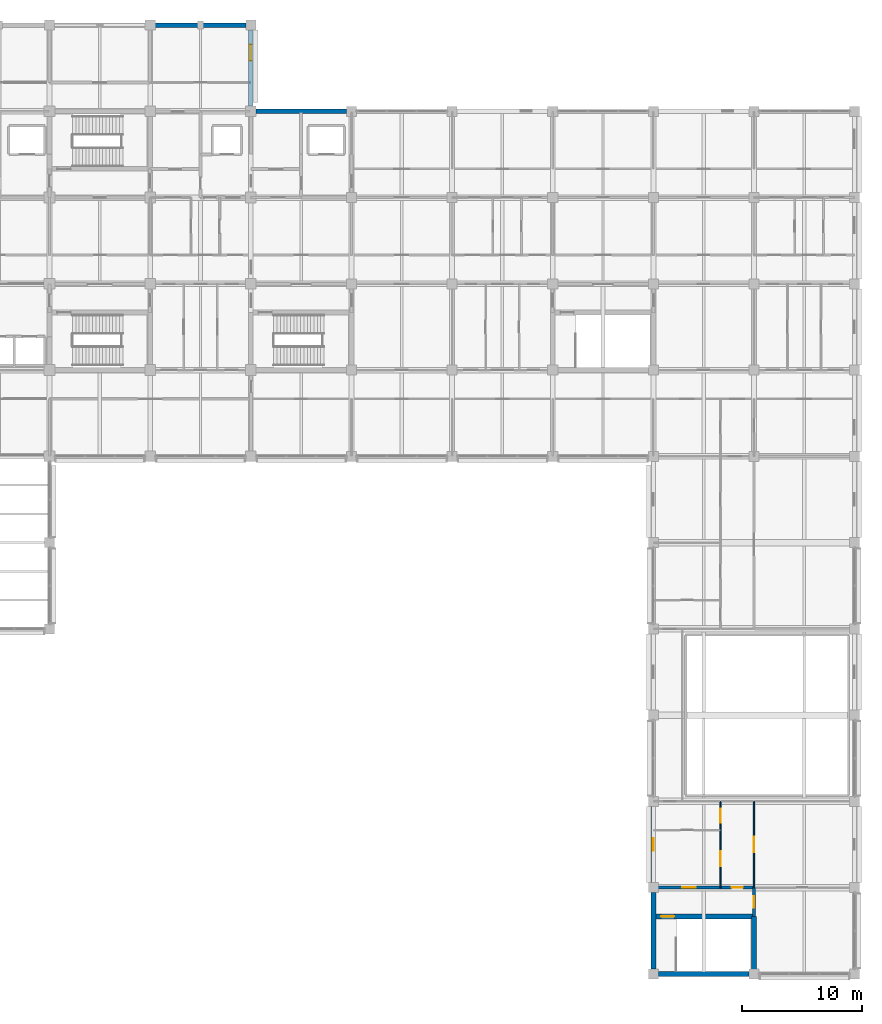
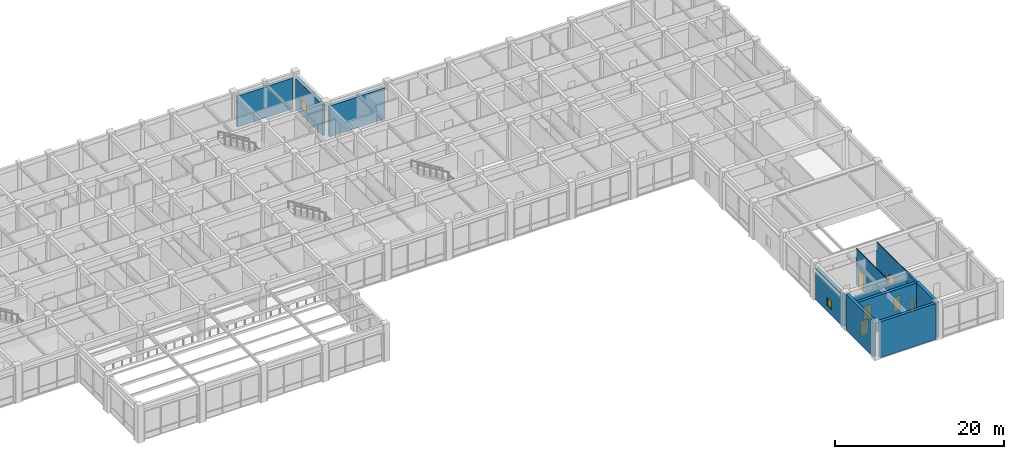
# One storey, part 45 of 58: 12 walls, 7 doors, 2 windows, 9 openings.
"""IFC4 building model written with IfcOpenShell, lengths in metres."""

from ifc_helpers import new_model, si_unit, direction, frame, frame_2d, origin, place, context, subcontext, project, spatial, rectangle, extrude, material, layer, layer_set, type_object, element, fill, save


model = new_model("IFC4")

# Units and contexts
model_context = context("Model", 3, precision=1e-05, world=origin(), true_north=direction((0.0, 1.0)))
body_context = subcontext(model_context, "Body", "Model", "MODEL_VIEW")
ifc_project = project(units=[si_unit("LENGTHUNIT", "METRE"), si_unit("AREAUNIT", "SQUARE_METRE"), si_unit("VOLUMEUNIT", "CUBIC_METRE"), si_unit("PLANEANGLEUNIT", "RADIAN"), si_unit("MASSUNIT", "GRAM", prefix="KILO")], contexts=[model_context])

# Site, building, storey
site_placement = place(None, origin())
site = spatial("IfcSite", under=ifc_project, at=site_placement, CompositionType="ELEMENT")
building_placement = place(site_placement, origin())
building = spatial("IfcBuilding", under=site, at=building_placement, Name="Chengyuan Square Courthouse", CompositionType="ELEMENT")
storey_placement = place(building_placement, frame((0.0, 0.0, 16.199951171875)))
storey = spatial("IfcBuildingStorey", under=building, at=storey_placement, Name="L04", CompositionType="ELEMENT", Elevation=16.199951171875)

# Wall
ifc_material_1 = material(Name="Concrete C40", Category="concrete")
ifc_layer_1 = layer(ifc_material_1, 0.3798828125)
ifc_layer_set_1 = layer_set([ifc_layer_1], Name="Concrete C40")
wall_type_1 = type_object("IfcWallType", Name="WL-EW1", PredefinedType="STANDARD", material=ifc_layer_set_1)
wall_1_placement = place(storey_placement, frame((109.6201171875, 115.199951171875, 0.0), z_axis=(0.0, 0.0, 1.0), x_axis=(1.0, 0.0, 0.0)))
element("IfcWall", 1, at=wall_1_placement, inside=storey, type_object=wall_type_1, Name="Exterior Wall WL-L04-E322", PredefinedType="STANDARD", context=body_context, shape_type="SweptSolid", body=[
    extrude(rectangle(XDim=7.559814453125, YDim=0.3798828125, at=frame_2d((3.77978515625, 0.0))), origin(), (0.0, 0.0, 1.0), 4.469970703125),
])

# Wall, opening, window
wall_2_placement = place(storey_placement, frame((117.60009765625, 108.445068359375, 0.0), z_axis=(0.0, 0.0, 1.0), x_axis=(0.0, 1.0, 0.0)))
wall_2 = element("IfcWall", 2, at=wall_2_placement, inside=storey, type_object=wall_type_1, Name="Exterior Wall WL-L04-E323", PredefinedType="STANDARD", context=body_context, shape_type="SweptSolid", body=[
    extrude(rectangle(XDim=6.3349609375, YDim=0.3798828125, at=frame_2d((3.16748046875, 0.0))), origin(), (0.0, 0.0, 1.0), 4.469970703125),
])
opening_1_placement = place(wall_2_placement, frame((3.780029296875, 0.0, 0.85009765625)))
opening_1 = element("IfcOpeningElement", 3, at=opening_1_placement, cuts=wall_2, Name="Opening WN-098", PredefinedType="OPENING", context=body_context, shape_type="SweptSolid", body=[
    extrude(rectangle(XDim=1.35009765625, YDim=1.3798828125, at=frame_2d((0.675048828125, 0.68994140625))), frame((0.0, 0.201904296875, 0.0), z_axis=(0.0, -1.0, 0.0), x_axis=(1.0, 0.0, 0.0)), (0.0, 0.0, 1.0), 0.40380859375),
])
ifc_material_2 = material(Name="Thermally Broken Aluminium Triple Low-E Window", Category="aluminium")
window_type_1 = type_object("IfcWindowType", Name="WT-20", PartitioningType="SINGLE_PANEL", PredefinedType="WINDOW", material=ifc_material_2)
window_1_placement = place(opening_1_placement, origin())
window_1 = element("IfcWindow", 4, at=window_1_placement, inside=storey, type_object=window_type_1, Name="Facade Window WN-098", OverallHeight=1.3798828125, OverallWidth=1.35009765625, PartitioningType="SINGLE_PANEL", PredefinedType="WINDOW", context=body_context, shape_type="SweptSolid", body=[
    extrude(rectangle(XDim=1.35009765625, YDim=1.3798828125, at=frame_2d((0.675048828125, 0.68994140625))), frame((0.0, 0.030029296875, 0.0), z_axis=(0.0, -1.0, 0.0), x_axis=(1.0, 0.0, 0.0)), (0.0, 0.0, 1.0), 0.06005859375),
])
fill(opening_1, window_1)

# Wall
wall_3_placement = place(storey_placement, frame((118.044921875, 108.0, 0.0), z_axis=(0.0, 0.0, 1.0), x_axis=(1.0, 0.0, 0.0)))
element("IfcWall", 5, at=wall_3_placement, inside=storey, type_object=wall_type_1, Name="Exterior Wall WL-L04-E324", PredefinedType="STANDARD", context=body_context, shape_type="SweptSolid", body=[
    extrude(rectangle(XDim=7.53515625, YDim=0.3798828125, at=frame_2d((3.767578125, 0.0))), origin(), (0.0, 0.0, 1.0), 4.469970703125),
])

# Wall, opening, window
wall_4_placement = place(storey_placement, frame((151.199951171875, 43.6201171875, 0.0), z_axis=(0.0, 0.0, 1.0), x_axis=(0.0, 1.0, 0.0)))
wall_4 = element("IfcWall", 6, at=wall_4_placement, inside=storey, type_object=wall_type_1, Name="Exterior Wall WL-L04-E328", PredefinedType="STANDARD", context=body_context, shape_type="SweptSolid", body=[
    extrude(rectangle(XDim=6.35986328125, YDim=0.3798828125, at=frame_2d((3.179931640625, 0.0))), origin(), (0.0, 0.0, 1.0), 4.550048828125),
])
opening_2_placement = place(wall_4_placement, frame((2.655029296875, 0.0, 0.85009765625)))
opening_2 = element("IfcOpeningElement", 7, at=opening_2_placement, cuts=wall_4, Name="Opening WN-100", PredefinedType="OPENING", context=body_context, shape_type="SweptSolid", body=[
    extrude(rectangle(XDim=1.050048828125, YDim=1.199951171875, at=frame_2d((0.52490234375, 0.60009765625))), frame((0.0, 0.201904296875, 0.0), z_axis=(0.0, -1.0, 0.0), x_axis=(1.0, 0.0, 0.0)), (0.0, 0.0, 1.0), 0.40380859375),
])
window_type_2 = type_object("IfcWindowType", Name="WT-07", PartitioningType="SINGLE_PANEL", PredefinedType="WINDOW", material=ifc_material_2)
window_2_placement = place(opening_2_placement, origin())
window_2 = element("IfcWindow", 8, at=window_2_placement, inside=storey, type_object=window_type_2, Name="Facade Window WN-100", OverallHeight=1.199951171875, OverallWidth=1.050048828125, PartitioningType="SINGLE_PANEL", PredefinedType="WINDOW", context=body_context, shape_type="SweptSolid", body=[
    extrude(rectangle(XDim=1.050048828125, YDim=1.199951171875, at=frame_2d((0.52490234375, 0.60009765625))), frame((0.0, 0.030029296875, 0.0), z_axis=(0.0, -1.0, 0.0), x_axis=(1.0, 0.0, 0.0)), (0.0, 0.0, 1.0), 0.06005859375),
])
fill(opening_2, window_2)

# Wall, openings, doors
ifc_layer_2 = layer(ifc_material_1, 0.25)
ifc_layer_set_2 = layer_set([ifc_layer_2], Name="Concrete C40")
wall_type_2 = type_object("IfcWallType", Name="WL-FW1", PredefinedType="STANDARD", material=ifc_layer_set_2)
wall_5_placement = place(storey_placement, frame((151.239990234375, 43.199951171875, 0.0), z_axis=(0.0, 0.0, 1.0), x_axis=(1.0, 0.0, 0.0)))
wall_5 = element("IfcWall", 9, at=wall_5_placement, inside=storey, type_object=wall_type_2, Name="Interior Wall WL-L04-I1741", PredefinedType="STANDARD", context=body_context, shape_type="SweptSolid", body=[
    extrude(rectangle(XDim=8.360107421875, YDim=0.25, at=frame_2d((4.18017578125, 0.0))), origin(), (0.0, 0.0, 1.0), 4.150146484375),
])
opening_3_placement = place(wall_5_placement, frame((6.485107421875, 0.0, 0.0)))
opening_3 = element("IfcOpeningElement", 10, at=opening_3_placement, cuts=wall_5, Name="Opening DR-1654", PredefinedType="OPENING", context=body_context, shape_type="SweptSolid", body=[
    extrude(rectangle(XDim=0.949951171875, YDim=2.14990234375, at=frame_2d((0.47509765625, 1.074951171875))), frame((0.0, 0.136962890625, 0.0), z_axis=(0.0, -1.0, 0.0), x_axis=(1.0, 0.0, 0.0)), (0.0, 0.0, 1.0), 0.27392578125),
])
opening_4_placement = place(wall_5_placement, frame((2.382568359375, 0.0, 0.0)))
opening_4 = element("IfcOpeningElement", 11, at=opening_4_placement, cuts=wall_5, Name="Opening DR-1655", PredefinedType="OPENING", context=body_context, shape_type="SweptSolid", body=[
    extrude(rectangle(XDim=1.10009765625, YDim=2.199951171875, at=frame_2d((0.550048828125, 1.10009765625))), frame((0.0, 0.136962890625, 0.0), z_axis=(0.0, -1.0, 0.0), x_axis=(1.0, 0.0, 0.0)), (0.0, 0.0, 1.0), 0.27392578125),
])
ifc_material_3 = material(Name="Steel Q235B Fire Door", Category="steel")
door_type_1 = type_object("IfcDoorType", Name="DT-10", OperationType="NOTDEFINED", PredefinedType="DOOR", material=ifc_material_3)
door_1_placement = place(opening_4_placement, origin())
door_1 = element("IfcDoor", 12, at=door_1_placement, inside=storey, type_object=door_type_1, Name="Interior Door DR-1655", OperationType="SINGLE_SWING_LEFT", OverallHeight=2.199951171875, OverallWidth=1.10009765625, PredefinedType="DOOR", context=body_context, shape_type="SweptSolid", body=[
    extrude(rectangle(XDim=1.10009765625, YDim=2.199951171875, at=frame_2d((0.550048828125, 1.10009765625))), frame((0.0, 0.02490234375, 0.0), z_axis=(0.0, -1.0, 0.0), x_axis=(1.0, 0.0, 0.0)), (0.0, 0.0, 1.0), 0.050048828125),
])
fill(opening_4, door_1)
door_type_2 = type_object("IfcDoorType", Name="DT-12", OperationType="NOTDEFINED", PredefinedType="DOOR", material=ifc_material_3)
door_2_placement = place(opening_3_placement, origin())
door_2 = element("IfcDoor", 13, at=door_2_placement, inside=storey, type_object=door_type_2, Name="Interior Door DR-1654", OperationType="SINGLE_SWING_RIGHT", OverallHeight=2.14990234375, OverallWidth=0.949951171875, PredefinedType="DOOR", context=body_context, shape_type="SweptSolid", body=[
    extrude(rectangle(XDim=0.949951171875, YDim=2.14990234375, at=frame_2d((0.47509765625, 1.074951171875))), frame((0.0, 0.02490234375, 0.0), z_axis=(0.0, -1.0, 0.0), x_axis=(1.0, 0.0, 0.0)), (0.0, 0.0, 1.0), 0.050048828125),
])
fill(opening_3, door_2)

# Wall, opening, door
wall_6_placement = place(storey_placement, frame((159.60009765625, 40.800048828125, 0.0), z_axis=(0.0, 0.0, 1.0), x_axis=(0.0, 1.0, 0.0)))
wall_6 = element("IfcWall", 14, at=wall_6_placement, inside=storey, type_object=wall_type_2, Name="Interior Wall WL-L04-I2090", PredefinedType="STANDARD", context=body_context, shape_type="SweptSolid", body=[
    extrude(rectangle(XDim=2.39990234375, YDim=0.25, at=frame_2d((1.199951171875, 0.0))), origin(), (0.0, 0.0, 1.0), 5.199951171875),
])
opening_5_placement = place(wall_6_placement, frame((0.699951171875, 0.0, 0.0)))
opening_5 = element("IfcOpeningElement", 15, at=opening_5_placement, cuts=wall_6, Name="Opening DR-1656", PredefinedType="OPENING", context=body_context, shape_type="SweptSolid", body=[
    extrude(rectangle(XDim=1.0, YDim=2.199951171875, at=frame_2d((0.5, 1.10009765625))), frame((0.0, 0.136962890625, 0.0), z_axis=(0.0, -1.0, 0.0), x_axis=(1.0, 0.0, 0.0)), (0.0, 0.0, 1.0), 0.27392578125),
])
door_type_3 = type_object("IfcDoorType", Name="DT-11", OperationType="NOTDEFINED", PredefinedType="DOOR", material=ifc_material_3)
door_3_placement = place(opening_5_placement, origin())
door_3 = element("IfcDoor", 16, at=door_3_placement, inside=storey, type_object=door_type_3, Name="Interior Door DR-1656", OperationType="SINGLE_SWING_RIGHT", OverallHeight=2.199951171875, OverallWidth=1.0, PredefinedType="DOOR", context=body_context, shape_type="SweptSolid", body=[
    extrude(rectangle(XDim=1.0, YDim=2.199951171875, at=frame_2d((0.5, 1.10009765625))), frame((0.0, 0.02490234375, 0.0), z_axis=(0.0, -1.0, 0.0), x_axis=(1.0, 0.0, 0.0)), (0.0, 0.0, 1.0), 0.050048828125),
])
fill(opening_5, door_3)

# Wall, openings, doors
ifc_material_4 = material(Name="Gypsum Plasterboard Acoustic Stud Partition")
ifc_layer_3 = layer(ifc_material_4, 0.10009765625)
ifc_layer_set_3 = layer_set([ifc_layer_3], Name="Gypsum Plasterboard Acoustic Stud Partition")
wall_type_3 = type_object("IfcWallType", Name="WL-PT6", PredefinedType="STANDARD", material=ifc_layer_set_3)
wall_7_placement = place(storey_placement, frame((156.800048828125, 43.199951171875, 0.0), z_axis=(0.0, 0.0, 1.0), x_axis=(0.0, 1.0, 0.0)))
wall_7 = element("IfcWall", 17, at=wall_7_placement, inside=storey, type_object=wall_type_3, Name="Interior Wall WL-L04-I2087", PredefinedType="STANDARD", context=body_context, shape_type="SweptSolid", body=[
    extrude(rectangle(XDim=7.199951171875, YDim=0.10009765625, at=frame_2d((3.60009765625, 0.0))), origin(), (0.0, 0.0, 1.0), 5.199951171875),
])
opening_6_placement = place(wall_7_placement, frame((5.39990234375, 0.0, 0.0)))
opening_6 = element("IfcOpeningElement", 18, at=opening_6_placement, cuts=wall_7, Name="Opening DR-1909", PredefinedType="OPENING", context=body_context, shape_type="SweptSolid", body=[
    extrude(rectangle(XDim=1.199951171875, YDim=2.35009765625, at=frame_2d((0.60009765625, 1.175048828125))), frame((0.0, 0.06201171875, 0.0), z_axis=(0.0, -1.0, 0.0), x_axis=(1.0, 0.0, 0.0)), (0.0, 0.0, 1.0), 0.1240234375),
])
opening_7_placement = place(wall_7_placement, frame((1.780029296875, 0.0, 0.0)))
opening_7 = element("IfcOpeningElement", 19, at=opening_7_placement, cuts=wall_7, Name="Opening DR-1910", PredefinedType="OPENING", context=body_context, shape_type="SweptSolid", body=[
    extrude(rectangle(XDim=1.239990234375, YDim=2.300048828125, at=frame_2d((0.6201171875, 1.14990234375))), frame((0.0, 0.06201171875, 0.0), z_axis=(0.0, -1.0, 0.0), x_axis=(1.0, 0.0, 0.0)), (0.0, 0.0, 1.0), 0.1240234375),
])
ifc_material_5 = material(Name="Acoustic Solid-Core Timber Door", Category="wood")
door_type_4 = type_object("IfcDoorType", Name="DT-36", OperationType="NOTDEFINED", PredefinedType="DOOR", material=ifc_material_5)
door_4_placement = place(opening_6_placement, origin())
door_4 = element("IfcDoor", 20, at=door_4_placement, inside=storey, type_object=door_type_4, Name="Interior Door DR-1909", OperationType="SINGLE_SWING_LEFT", OverallHeight=2.35009765625, OverallWidth=1.199951171875, PredefinedType="DOOR", context=body_context, shape_type="SweptSolid", body=[
    extrude(rectangle(XDim=1.199951171875, YDim=2.35009765625, at=frame_2d((0.60009765625, 1.175048828125))), frame((0.0, 0.02490234375, 0.0), z_axis=(0.0, -1.0, 0.0), x_axis=(1.0, 0.0, 0.0)), (0.0, 0.0, 1.0), 0.050048828125),
])
fill(opening_6, door_4)
door_type_5 = type_object("IfcDoorType", Name="DT-37", OperationType="NOTDEFINED", PredefinedType="DOOR", material=ifc_material_5)
door_5_placement = place(opening_7_placement, origin())
door_5 = element("IfcDoor", 21, at=door_5_placement, inside=storey, type_object=door_type_5, Name="Interior Door DR-1910", OperationType="SINGLE_SWING_RIGHT", OverallHeight=2.300048828125, OverallWidth=1.239990234375, PredefinedType="DOOR", context=body_context, shape_type="SweptSolid", body=[
    extrude(rectangle(XDim=1.239990234375, YDim=2.300048828125, at=frame_2d((0.6201171875, 1.14990234375))), frame((0.0, 0.02490234375, 0.0), z_axis=(0.0, -1.0, 0.0), x_axis=(1.0, 0.0, 0.0)), (0.0, 0.0, 1.0), 0.050048828125),
])
fill(opening_7, door_5)

# Wall, opening, door
wall_8_placement = place(storey_placement, frame((159.60009765625, 43.199951171875, 0.0), z_axis=(0.0, 0.0, 1.0), x_axis=(0.0, 1.0, 0.0)))
wall_8 = element("IfcWall", 22, at=wall_8_placement, inside=storey, type_object=wall_type_3, Name="Interior Wall WL-L04-I2091", PredefinedType="STANDARD", context=body_context, shape_type="SweptSolid", body=[
    extrude(rectangle(XDim=7.199951171875, YDim=0.10009765625, at=frame_2d((3.60009765625, 0.0))), origin(), (0.0, 0.0, 1.0), 5.199951171875),
])
opening_8_placement = place(wall_8_placement, frame((2.9599609375, 0.0, 0.0)))
opening_8 = element("IfcOpeningElement", 23, at=opening_8_placement, cuts=wall_8, Name="Opening DR-1911", PredefinedType="OPENING", context=body_context, shape_type="SweptSolid", body=[
    extrude(rectangle(XDim=1.280029296875, YDim=2.35009765625, at=frame_2d((0.64013671875, 1.175048828125))), frame((0.0, 0.06201171875, 0.0), z_axis=(0.0, -1.0, 0.0), x_axis=(1.0, 0.0, 0.0)), (0.0, 0.0, 1.0), 0.1240234375),
])
door_type_6 = type_object("IfcDoorType", Name="DT-38", OperationType="NOTDEFINED", PredefinedType="DOOR", material=ifc_material_5)
door_6_placement = place(opening_8_placement, origin())
door_6 = element("IfcDoor", 24, at=door_6_placement, inside=storey, type_object=door_type_6, Name="Interior Door DR-1911", OperationType="SINGLE_SWING_LEFT", OverallHeight=2.35009765625, OverallWidth=1.280029296875, PredefinedType="DOOR", context=body_context, shape_type="SweptSolid", body=[
    extrude(rectangle(XDim=1.280029296875, YDim=2.35009765625, at=frame_2d((0.64013671875, 1.175048828125))), frame((0.0, 0.02490234375, 0.0), z_axis=(0.0, -1.0, 0.0), x_axis=(1.0, 0.0, 0.0)), (0.0, 0.0, 1.0), 0.050048828125),
])
fill(opening_8, door_6)

# Walls
ifc_material_6 = material(Name="Concrete C50", Category="concrete")
ifc_layer_4 = layer(ifc_material_6, 0.39990234375)
ifc_layer_set_4 = layer_set([ifc_layer_4], Name="Concrete C50")
wall_type_4 = type_object("IfcWallType", Name="WL-SW1", PredefinedType="SHEAR", material=ifc_layer_set_4)
wall_9_placement = place(storey_placement, frame((151.6201171875, 36.0, 0.0), z_axis=(0.0, 0.0, 1.0), x_axis=(1.0, 0.0, 0.0)))
element("IfcWall", 25, at=wall_9_placement, inside=storey, type_object=wall_type_4, Name="Exterior Wall WL-L04-E326", PredefinedType="SHEAR", context=body_context, shape_type="SweptSolid", body=[
    extrude(rectangle(XDim=7.559814453125, YDim=0.39990234375, at=frame_2d((3.77978515625, 0.0))), origin(), (0.0, 0.0, 1.0), 5.199951171875),
])
wall_10_placement = place(storey_placement, frame((151.199951171875, 36.419921875, 0.0), z_axis=(0.0, 0.0, 1.0), x_axis=(0.0, 1.0, 0.0)))
element("IfcWall", 26, at=wall_10_placement, inside=storey, type_object=wall_type_4, Name="Exterior Wall WL-L04-E327", PredefinedType="SHEAR", context=body_context, shape_type="SweptSolid", body=[
    extrude(rectangle(XDim=6.360107421875, YDim=0.39990234375, at=frame_2d((3.18017578125, 0.0))), origin(), (0.0, 0.0, 1.0), 5.199951171875),
])

# Wall, opening, door
wall_11_placement = place(storey_placement, frame((151.239990234375, 40.800048828125, 0.0), z_axis=(0.0, 0.0, 1.0), x_axis=(1.0, 0.0, 0.0)))
wall_11 = element("IfcWall", 27, at=wall_11_placement, inside=storey, type_object=wall_type_4, Name="Interior Wall WL-L04-I1738", PredefinedType="SHEAR", context=body_context, shape_type="SweptSolid", body=[
    extrude(rectangle(XDim=8.360107421875, YDim=0.39990234375, at=frame_2d((4.18017578125, 0.0))), origin(), (0.0, 0.0, 1.0), 5.199951171875),
])
opening_9_placement = place(wall_11_placement, frame((0.610107421875, 0.0, 0.0)))
opening_9 = element("IfcOpeningElement", 28, at=opening_9_placement, cuts=wall_11, Name="Opening DR-1630", PredefinedType="OPENING", context=body_context, shape_type="SweptSolid", body=[
    extrude(rectangle(XDim=1.10009765625, YDim=2.199951171875, at=frame_2d((0.550048828125, 1.10009765625))), frame((0.0, 0.2119140625, 0.0), z_axis=(0.0, -1.0, 0.0), x_axis=(1.0, 0.0, 0.0)), (0.0, 0.0, 1.0), 0.423828125),
])
door_7_placement = place(opening_9_placement, frame((1.10009765625, 0.0, 0.0), z_axis=(0.0, 0.0, 1.0), x_axis=(-1.0, 0.0, 0.0)))
door_7 = element("IfcDoor", 29, at=door_7_placement, inside=storey, type_object=door_type_1, Name="Smoke-Proof Stairwell Fire Door ST-8 DR-1630", OperationType="SINGLE_SWING_RIGHT", OverallHeight=2.199951171875, OverallWidth=1.10009765625, PredefinedType="DOOR", context=body_context, shape_type="SweptSolid", body=[
    extrude(rectangle(XDim=1.10009765625, YDim=2.199951171875, at=frame_2d((0.550048828125, 1.10009765625))), frame((0.0, 0.02490234375, 0.0), z_axis=(0.0, -1.0, 0.0), x_axis=(1.0, 0.0, 0.0)), (0.0, 0.0, 1.0), 0.050048828125),
])
fill(opening_9, door_7)

# Wall
wall_12_placement = place(storey_placement, frame((159.60009765625, 36.0400390625, 0.0), z_axis=(0.0, 0.0, 1.0), x_axis=(0.0, 1.0, 0.0)))
element("IfcWall", 30, at=wall_12_placement, inside=storey, type_object=wall_type_4, Name="Interior Wall WL-L04-I2089", PredefinedType="SHEAR", context=body_context, shape_type="SweptSolid", body=[
    extrude(rectangle(XDim=4.760009765625, YDim=0.39990234375, at=frame_2d((2.3798828125, 0.0))), origin(), (0.0, 0.0, 1.0), 5.199951171875),
])

save(model, "model.ifc")
